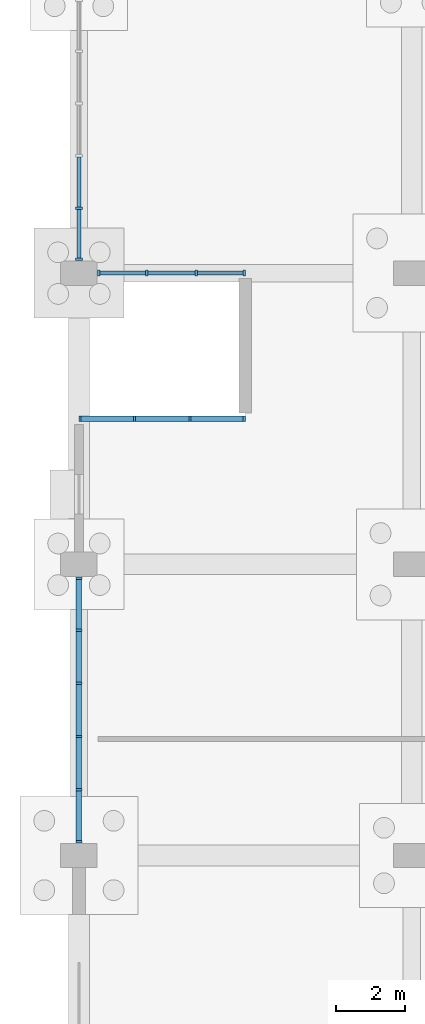
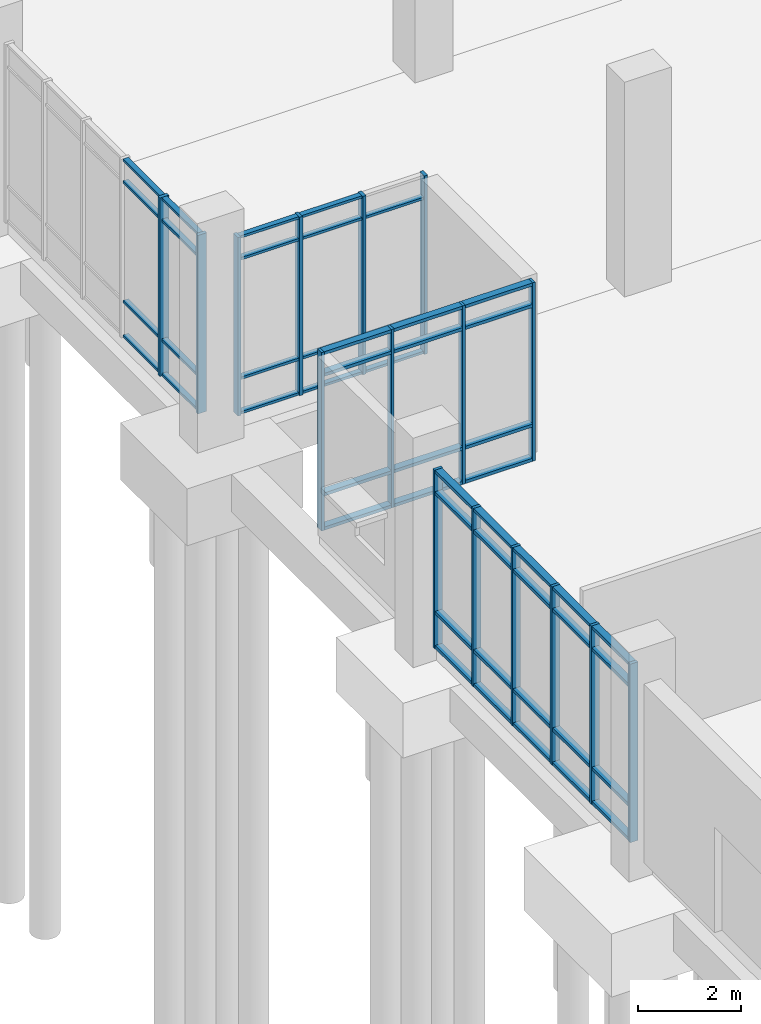
# One storey, part 36 of 136: 67 members, 4 elements without a shape of their own.
"""IFC4 building model written with IfcOpenShell, lengths in metres."""

from ifc_helpers import new_model, si_unit, direction, frame, origin, origin_2d, place, context, subcontext, project, spatial, rectangle, extrude, material, material_profile, profile_set, type_object, element, aggregate, save


model = new_model("IFC4")

# Units and contexts
model_context = context("Model", 3, precision=1e-05, world=origin(), true_north=direction((0.0, 1.0)))
body_context = subcontext(model_context, "Body", "Model", "MODEL_VIEW")
ifc_project = project(units=[si_unit("LENGTHUNIT", "METRE"), si_unit("AREAUNIT", "SQUARE_METRE"), si_unit("VOLUMEUNIT", "CUBIC_METRE"), si_unit("PLANEANGLEUNIT", "RADIAN"), si_unit("MASSUNIT", "GRAM", prefix="KILO")], contexts=[model_context])

# Site, building, storey
site_placement = place(None, origin())
site = spatial("IfcSite", under=ifc_project, at=site_placement, CompositionType="ELEMENT")
building_placement = place(site_placement, origin())
building = spatial("IfcBuilding", under=site, at=building_placement, Name="Oolite Switchyard Hospital", CompositionType="ELEMENT")
storey_placement = place(building_placement, origin())
storey = spatial("IfcBuildingStorey", under=building, at=storey_placement, Name="L00", CompositionType="ELEMENT", Elevation=0.0)

# Curtain wall, members
ifc_material_1 = material(Name="Thermally broken aluminum frame with laminated impact glazing", Category="aluminium")
curtain_wall_type = type_object("IfcCurtainWallType", Name="CW-UNIT-84X51", PredefinedType="USERDEFINED", material=ifc_material_1)
curtain_wall_1_placement = place(storey_placement, origin())
curtain_wall_1 = element("IfcCurtainWall", 1, at=curtain_wall_1_placement, inside=storey, type_object=curtain_wall_type, Name="L00 Unitised Curtain Wall 27", ObjectType="UNITISED", PredefinedType="USERDEFINED")
ifc_material_2 = material(Name="Aluminium 6063-T6", Category="aluminium")
ifc_material_profile_1 = material_profile(ifc_material_2, rectangle(XDim=0.159912109375, YDim=0.06005859375, at=origin_2d()), Name="CWM60X160")
ifc_profile_set_1 = profile_set([ifc_material_profile_1], Name="Aluminium 6063-T6")
member_type_1 = type_object("IfcMemberType", Name="CW-MUL-180", PredefinedType="MULLION", material=ifc_profile_set_1)
member_1_placement = place(storey_placement, frame((0.030029296875, 79.800048828125, 0.0), z_axis=(0.0, 0.0, 1.0), x_axis=(0.0, 1.0, 0.0)))
member_1 = element("IfcMember", 2, at=member_1_placement, type_object=member_type_1, Name="CW-06 mullion 1", PredefinedType="MULLION", context=body_context, shape_type="SweptSolid", body=[
    extrude(rectangle(XDim=0.159912109375, YDim=0.06005859375, at=origin_2d()), origin(), (0.0, 0.0, 1.0), 4.239990234375),
])
member_2_placement = place(storey_placement, frame((1.60009765625, 79.800048828125, 0.0), z_axis=(0.0, 0.0, 1.0), x_axis=(0.0, 1.0, 0.0)))
member_2 = element("IfcMember", 3, at=member_2_placement, type_object=member_type_1, Name="CW-06 mullion 2", PredefinedType="MULLION", context=body_context, shape_type="SweptSolid", body=[
    extrude(rectangle(XDim=0.159912109375, YDim=0.06005859375, at=origin_2d()), origin(), (0.0, 0.0, 1.0), 4.239990234375),
])
member_3_placement = place(storey_placement, frame((3.199951171875, 79.800048828125, 0.0), z_axis=(0.0, 0.0, 1.0), x_axis=(0.0, 1.0, 0.0)))
member_3 = element("IfcMember", 4, at=member_3_placement, type_object=member_type_1, Name="CW-06 mullion 3", PredefinedType="MULLION", context=body_context, shape_type="SweptSolid", body=[
    extrude(rectangle(XDim=0.159912109375, YDim=0.06005859375, at=origin_2d()), origin(), (0.0, 0.0, 1.0), 4.239990234375),
])
member_4_placement = place(storey_placement, frame((4.77001953125, 79.800048828125, 0.0), z_axis=(0.0, 0.0, 1.0), x_axis=(0.0, 1.0, 0.0)))
member_4 = element("IfcMember", 5, at=member_4_placement, type_object=member_type_1, Name="CW-06 mullion 4", PredefinedType="MULLION", context=body_context, shape_type="SweptSolid", body=[
    extrude(rectangle(XDim=0.159912109375, YDim=0.06005859375, at=origin_2d()), origin(), (0.0, 0.0, 1.0), 4.239990234375),
])

curtain_wall_2_placement = place(storey_placement, origin())
curtain_wall_2 = element("IfcCurtainWall", 6, at=curtain_wall_2_placement, inside=storey, type_object=curtain_wall_type, Name="L00 Unitised Curtain Wall 28", ObjectType="UNITISED", PredefinedType="USERDEFINED")
ifc_material_profile_2 = material_profile(ifc_material_2, rectangle(XDim=0.179931640625, YDim=0.070068359375, at=origin_2d()), Name="CWM70X180")
ifc_profile_set_2 = profile_set([ifc_material_profile_2], Name="Aluminium 6063-T6")
member_type_2 = type_object("IfcMemberType", Name="CW-MUL-220", PredefinedType="MULLION", material=ifc_profile_set_2)
member_5_placement = place(storey_placement, frame((4.764892578125, 84.0, 0.0), z_axis=(0.0, 0.0, 1.0), x_axis=(0.0, -1.0, 0.0)))
member_5 = element("IfcMember", 7, at=member_5_placement, type_object=member_type_2, Name="CW-06 mullion 1", PredefinedType="MULLION", context=body_context, shape_type="SweptSolid", body=[
    extrude(rectangle(XDim=0.179931640625, YDim=0.070068359375, at=origin_2d()), origin(), (0.0, 0.0, 1.0), 4.239990234375),
])
member_6_placement = place(storey_placement, frame((3.3798828125, 84.0, 0.0), z_axis=(0.0, 0.0, 1.0), x_axis=(0.0, -1.0, 0.0)))
member_6 = element("IfcMember", 8, at=member_6_placement, type_object=member_type_2, Name="CW-06 mullion 2", PredefinedType="MULLION", context=body_context, shape_type="SweptSolid", body=[
    extrude(rectangle(XDim=0.179931640625, YDim=0.070068359375, at=origin_2d()), origin(), (0.0, 0.0, 1.0), 4.239990234375),
])
member_7_placement = place(storey_placement, frame((1.9599609375, 84.0, 0.0), z_axis=(0.0, 0.0, 1.0), x_axis=(0.0, -1.0, 0.0)))
member_7 = element("IfcMember", 9, at=member_7_placement, type_object=member_type_2, Name="CW-06 mullion 3", PredefinedType="MULLION", context=body_context, shape_type="SweptSolid", body=[
    extrude(rectangle(XDim=0.179931640625, YDim=0.070068359375, at=origin_2d()), origin(), (0.0, 0.0, 1.0), 4.239990234375),
])
member_8_placement = place(storey_placement, frame((0.574951171875, 84.0, 0.0), z_axis=(0.0, 0.0, 1.0), x_axis=(0.0, -1.0, 0.0)))
member_8 = element("IfcMember", 10, at=member_8_placement, type_object=member_type_2, Name="CW-06 mullion 4", PredefinedType="MULLION", context=body_context, shape_type="SweptSolid", body=[
    extrude(rectangle(XDim=0.179931640625, YDim=0.070068359375, at=origin_2d()), origin(), (0.0, 0.0, 1.0), 4.239990234375),
])

curtain_wall_3_placement = place(storey_placement, origin())
curtain_wall_3 = element("IfcCurtainWall", 11, at=curtain_wall_3_placement, inside=storey, type_object=curtain_wall_type, Name="L00 Unitised Curtain Wall 55", ObjectType="UNITISED", PredefinedType="USERDEFINED")
member_9_placement = place(storey_placement, frame((0.0, 67.60009765625, 0.0), z_axis=(0.0, 0.0, 1.0), x_axis=(-1.0, 0.0, 0.0)))
member_9 = element("IfcMember", 12, at=member_9_placement, type_object=member_type_2, Name="CW-06 mullion 1", PredefinedType="MULLION", context=body_context, shape_type="SweptSolid", body=[
    extrude(rectangle(XDim=0.179931640625, YDim=0.070068359375, at=origin_2d()), origin(), (0.0, 0.0, 1.0), 4.239990234375),
])
member_10_placement = place(storey_placement, frame((0.0, 69.09912109375, 0.0), z_axis=(0.0, 0.0, 1.0), x_axis=(-1.0, 0.0, 0.0)))
member_10 = element("IfcMember", 13, at=member_10_placement, type_object=member_type_2, Name="CW-06 mullion 2", PredefinedType="MULLION", context=body_context, shape_type="SweptSolid", body=[
    extrude(rectangle(XDim=0.179931640625, YDim=0.070068359375, at=origin_2d()), origin(), (0.0, 0.0, 1.0), 4.239990234375),
])
member_11_placement = place(storey_placement, frame((0.0, 70.633056640625, 0.0), z_axis=(0.0, 0.0, 1.0), x_axis=(-1.0, 0.0, 0.0)))
member_11 = element("IfcMember", 14, at=member_11_placement, type_object=member_type_2, Name="CW-06 mullion 3", PredefinedType="MULLION", context=body_context, shape_type="SweptSolid", body=[
    extrude(rectangle(XDim=0.179931640625, YDim=0.070068359375, at=origin_2d()), origin(), (0.0, 0.0, 1.0), 4.239990234375),
])
member_12_placement = place(storey_placement, frame((0.0, 72.1669921875, 0.0), z_axis=(0.0, 0.0, 1.0), x_axis=(-1.0, 0.0, 0.0)))
member_12 = element("IfcMember", 15, at=member_12_placement, type_object=member_type_2, Name="CW-06 mullion 4", PredefinedType="MULLION", context=body_context, shape_type="SweptSolid", body=[
    extrude(rectangle(XDim=0.179931640625, YDim=0.070068359375, at=origin_2d()), origin(), (0.0, 0.0, 1.0), 4.239990234375),
])
member_13_placement = place(storey_placement, frame((0.0, 73.700927734375, 0.0), z_axis=(0.0, 0.0, 1.0), x_axis=(-1.0, 0.0, 0.0)))
member_13 = element("IfcMember", 16, at=member_13_placement, type_object=member_type_2, Name="CW-06 mullion 5", PredefinedType="MULLION", context=body_context, shape_type="SweptSolid", body=[
    extrude(rectangle(XDim=0.179931640625, YDim=0.070068359375, at=origin_2d()), origin(), (0.0, 0.0, 1.0), 4.239990234375),
])
member_14_placement = place(storey_placement, frame((0.0, 75.199951171875, 0.0), z_axis=(0.0, 0.0, 1.0), x_axis=(-1.0, 0.0, 0.0)))
member_14 = element("IfcMember", 17, at=member_14_placement, type_object=member_type_2, Name="CW-06 mullion 6", PredefinedType="MULLION", context=body_context, shape_type="SweptSolid", body=[
    extrude(rectangle(XDim=0.179931640625, YDim=0.070068359375, at=origin_2d()), origin(), (0.0, 0.0, 1.0), 4.239990234375),
])

curtain_wall_4_placement = place(storey_placement, origin())
curtain_wall_4 = element("IfcCurtainWall", 18, at=curtain_wall_4_placement, inside=storey, type_object=curtain_wall_type, Name="L00 Unitised Curtain Wall 56", ObjectType="UNITISED", PredefinedType="USERDEFINED")
ifc_material_profile_3 = material_profile(ifc_material_2, rectangle(XDim=0.199951171875, YDim=0.074951171875, at=origin_2d()), Name="CWM75X200")
ifc_profile_set_3 = profile_set([ifc_material_profile_3], Name="Aluminium 6063-T6")
member_type_3 = type_object("IfcMemberType", Name="CW-MUL-260", PredefinedType="MULLION", material=ifc_profile_set_3)
member_15_placement = place(storey_placement, frame((0.0, 84.402587890625, 0.0), z_axis=(0.0, 0.0, 1.0), x_axis=(-1.0, 0.0, 0.0)))
member_15 = element("IfcMember", 19, at=member_15_placement, type_object=member_type_3, Name="CW-06 mullion 1", PredefinedType="MULLION", context=body_context, shape_type="SweptSolid", body=[
    extrude(rectangle(XDim=0.199951171875, YDim=0.074951171875, at=origin_2d()), origin(), (0.0, 0.0, 1.0), 4.239990234375),
])
member_16_placement = place(storey_placement, frame((0.0, 85.8740234375, 0.0), z_axis=(0.0, 0.0, 1.0), x_axis=(-1.0, 0.0, 0.0)))
member_16 = element("IfcMember", 20, at=member_16_placement, type_object=member_type_3, Name="CW-06 mullion 2", PredefinedType="MULLION", context=body_context, shape_type="SweptSolid", body=[
    extrude(rectangle(XDim=0.199951171875, YDim=0.074951171875, at=origin_2d()), origin(), (0.0, 0.0, 1.0), 4.239990234375),
])

# Member
ifc_material_profile_4 = material_profile(ifc_material_2, rectangle(XDim=0.1201171875, YDim=0.06005859375, at=origin_2d()), Name="CWT60X120")
ifc_profile_set_4 = profile_set([ifc_material_profile_4], Name="Aluminium 6063-T6")
member_type_4 = type_object("IfcMemberType", Name="CW-TRN-150", PredefinedType="USERDEFINED", material=ifc_profile_set_4)
member_17_placement = place(storey_placement, frame((4.72998046875, 84.0, 0.030029296875), z_axis=(-1.0, 0.0, 0.0), x_axis=(0.0, -1.0, 0.0)))
member_17 = element("IfcMember", 21, at=member_17_placement, type_object=member_type_4, Name="CW-06 transom 1.1", ObjectType="TRANSOM", PredefinedType="USERDEFINED", context=body_context, shape_type="SweptSolid", body=[
    extrude(rectangle(XDim=0.1201171875, YDim=0.06005859375, at=origin_2d()), origin(), (0.0, 0.0, 1.0), 1.31494140625),
])

member_18_placement = place(storey_placement, frame((4.72998046875, 84.0, 0.85009765625), z_axis=(-1.0, 0.0, 0.0), x_axis=(0.0, -1.0, 0.0)))
member_18 = element("IfcMember", 22, at=member_18_placement, type_object=member_type_4, Name="CW-06 transom 1.2", ObjectType="TRANSOM", PredefinedType="USERDEFINED", context=body_context, shape_type="SweptSolid", body=[
    extrude(rectangle(XDim=0.1201171875, YDim=0.06005859375, at=origin_2d()), origin(), (0.0, 0.0, 1.0), 1.31494140625),
])

member_19_placement = place(storey_placement, frame((4.72998046875, 84.0, 3.68994140625), z_axis=(-1.0, 0.0, 0.0), x_axis=(0.0, -1.0, 0.0)))
member_19 = element("IfcMember", 23, at=member_19_placement, type_object=member_type_4, Name="CW-06 transom 1.3", ObjectType="TRANSOM", PredefinedType="USERDEFINED", context=body_context, shape_type="SweptSolid", body=[
    extrude(rectangle(XDim=0.1201171875, YDim=0.06005859375, at=origin_2d()), origin(), (0.0, 0.0, 1.0), 1.31494140625),
])

member_20_placement = place(storey_placement, frame((3.344970703125, 84.0, 0.030029296875), z_axis=(-1.0, 0.0, 0.0), x_axis=(0.0, -1.0, 0.0)))
member_20 = element("IfcMember", 24, at=member_20_placement, type_object=member_type_4, Name="CW-06 transom 2.1", ObjectType="TRANSOM", PredefinedType="USERDEFINED", context=body_context, shape_type="SweptSolid", body=[
    extrude(rectangle(XDim=0.1201171875, YDim=0.06005859375, at=origin_2d()), origin(), (0.0, 0.0, 1.0), 1.349853515625),
])

member_21_placement = place(storey_placement, frame((3.344970703125, 84.0, 0.85009765625), z_axis=(-1.0, 0.0, 0.0), x_axis=(0.0, -1.0, 0.0)))
member_21 = element("IfcMember", 25, at=member_21_placement, type_object=member_type_4, Name="CW-06 transom 2.2", ObjectType="TRANSOM", PredefinedType="USERDEFINED", context=body_context, shape_type="SweptSolid", body=[
    extrude(rectangle(XDim=0.1201171875, YDim=0.06005859375, at=origin_2d()), origin(), (0.0, 0.0, 1.0), 1.349853515625),
])

member_22_placement = place(storey_placement, frame((3.344970703125, 84.0, 3.68994140625), z_axis=(-1.0, 0.0, 0.0), x_axis=(0.0, -1.0, 0.0)))
member_22 = element("IfcMember", 26, at=member_22_placement, type_object=member_type_4, Name="CW-06 transom 2.3", ObjectType="TRANSOM", PredefinedType="USERDEFINED", context=body_context, shape_type="SweptSolid", body=[
    extrude(rectangle(XDim=0.1201171875, YDim=0.06005859375, at=origin_2d()), origin(), (0.0, 0.0, 1.0), 1.349853515625),
])

member_23_placement = place(storey_placement, frame((3.344970703125, 84.0, 4.2099609375), z_axis=(-1.0, 0.0, 0.0), x_axis=(0.0, -1.0, 0.0)))
member_23 = element("IfcMember", 27, at=member_23_placement, type_object=member_type_4, Name="CW-06 transom 2.4", ObjectType="TRANSOM", PredefinedType="USERDEFINED", context=body_context, shape_type="SweptSolid", body=[
    extrude(rectangle(XDim=0.1201171875, YDim=0.06005859375, at=origin_2d()), origin(), (0.0, 0.0, 1.0), 1.349853515625),
])

member_24_placement = place(storey_placement, frame((1.925048828125, 84.0, 0.030029296875), z_axis=(-1.0, 0.0, 0.0), x_axis=(0.0, -1.0, 0.0)))
member_24 = element("IfcMember", 28, at=member_24_placement, type_object=member_type_4, Name="CW-06 transom 3.1", ObjectType="TRANSOM", PredefinedType="USERDEFINED", context=body_context, shape_type="SweptSolid", body=[
    extrude(rectangle(XDim=0.1201171875, YDim=0.06005859375, at=origin_2d()), origin(), (0.0, 0.0, 1.0), 1.31494140625),
])

member_25_placement = place(storey_placement, frame((1.925048828125, 84.0, 0.85009765625), z_axis=(-1.0, 0.0, 0.0), x_axis=(0.0, -1.0, 0.0)))
member_25 = element("IfcMember", 29, at=member_25_placement, type_object=member_type_4, Name="CW-06 transom 3.2", ObjectType="TRANSOM", PredefinedType="USERDEFINED", context=body_context, shape_type="SweptSolid", body=[
    extrude(rectangle(XDim=0.1201171875, YDim=0.06005859375, at=origin_2d()), origin(), (0.0, 0.0, 1.0), 1.31494140625),
])

member_26_placement = place(storey_placement, frame((1.925048828125, 84.0, 3.68994140625), z_axis=(-1.0, 0.0, 0.0), x_axis=(0.0, -1.0, 0.0)))
member_26 = element("IfcMember", 30, at=member_26_placement, type_object=member_type_4, Name="CW-06 transom 3.3", ObjectType="TRANSOM", PredefinedType="USERDEFINED", context=body_context, shape_type="SweptSolid", body=[
    extrude(rectangle(XDim=0.1201171875, YDim=0.06005859375, at=origin_2d()), origin(), (0.0, 0.0, 1.0), 1.31494140625),
])

member_27_placement = place(storey_placement, frame((1.925048828125, 84.0, 4.2099609375), z_axis=(-1.0, 0.0, 0.0), x_axis=(0.0, -1.0, 0.0)))
member_27 = element("IfcMember", 31, at=member_27_placement, type_object=member_type_4, Name="CW-06 transom 3.4", ObjectType="TRANSOM", PredefinedType="USERDEFINED", context=body_context, shape_type="SweptSolid", body=[
    extrude(rectangle(XDim=0.1201171875, YDim=0.06005859375, at=origin_2d()), origin(), (0.0, 0.0, 1.0), 1.31494140625),
])

aggregate(curtain_wall_2, [member_5, member_6, member_7, member_8, member_17, member_18, member_19, member_20, member_21, member_22, member_23, member_24, member_25, member_26, member_27])

member_28_placement = place(storey_placement, frame((0.0, 84.43994140625, 0.030029296875), z_axis=(0.0, 1.0, 0.0), x_axis=(-1.0, 0.0, 0.0)))
member_28 = element("IfcMember", 32, at=member_28_placement, type_object=member_type_4, Name="CW-06 transom 1.1", ObjectType="TRANSOM", PredefinedType="USERDEFINED", context=body_context, shape_type="SweptSolid", body=[
    extrude(rectangle(XDim=0.1201171875, YDim=0.06005859375, at=origin_2d()), origin(), (0.0, 0.0, 1.0), 1.396484375),
])

member_29_placement = place(storey_placement, frame((0.0, 84.43994140625, 0.85009765625), z_axis=(0.0, 1.0, 0.0), x_axis=(-1.0, 0.0, 0.0)))
member_29 = element("IfcMember", 33, at=member_29_placement, type_object=member_type_4, Name="CW-06 transom 1.2", ObjectType="TRANSOM", PredefinedType="USERDEFINED", context=body_context, shape_type="SweptSolid", body=[
    extrude(rectangle(XDim=0.1201171875, YDim=0.06005859375, at=origin_2d()), origin(), (0.0, 0.0, 1.0), 1.396484375),
])

member_30_placement = place(storey_placement, frame((0.0, 84.43994140625, 3.68994140625), z_axis=(0.0, 1.0, 0.0), x_axis=(-1.0, 0.0, 0.0)))
member_30 = element("IfcMember", 34, at=member_30_placement, type_object=member_type_4, Name="CW-06 transom 1.3", ObjectType="TRANSOM", PredefinedType="USERDEFINED", context=body_context, shape_type="SweptSolid", body=[
    extrude(rectangle(XDim=0.1201171875, YDim=0.06005859375, at=origin_2d()), origin(), (0.0, 0.0, 1.0), 1.396484375),
])

member_31_placement = place(storey_placement, frame((0.0, 84.43994140625, 4.2099609375), z_axis=(0.0, 1.0, 0.0), x_axis=(-1.0, 0.0, 0.0)))
member_31 = element("IfcMember", 35, at=member_31_placement, type_object=member_type_4, Name="CW-06 transom 1.4", ObjectType="TRANSOM", PredefinedType="USERDEFINED", context=body_context, shape_type="SweptSolid", body=[
    extrude(rectangle(XDim=0.1201171875, YDim=0.06005859375, at=origin_2d()), origin(), (0.0, 0.0, 1.0), 1.396484375),
])

member_32_placement = place(storey_placement, frame((0.0, 85.91162109375, 0.030029296875), z_axis=(0.0, 1.0, 0.0), x_axis=(-1.0, 0.0, 0.0)))
member_32 = element("IfcMember", 36, at=member_32_placement, type_object=member_type_4, Name="CW-06 transom 2.1", ObjectType="TRANSOM", PredefinedType="USERDEFINED", context=body_context, shape_type="SweptSolid", body=[
    extrude(rectangle(XDim=0.1201171875, YDim=0.06005859375, at=origin_2d()), origin(), (0.0, 0.0, 1.0), 1.433837890625),
])

member_33_placement = place(storey_placement, frame((0.0, 85.91162109375, 0.85009765625), z_axis=(0.0, 1.0, 0.0), x_axis=(-1.0, 0.0, 0.0)))
member_33 = element("IfcMember", 37, at=member_33_placement, type_object=member_type_4, Name="CW-06 transom 2.2", ObjectType="TRANSOM", PredefinedType="USERDEFINED", context=body_context, shape_type="SweptSolid", body=[
    extrude(rectangle(XDim=0.1201171875, YDim=0.06005859375, at=origin_2d()), origin(), (0.0, 0.0, 1.0), 1.433837890625),
])

member_34_placement = place(storey_placement, frame((0.0, 85.91162109375, 3.68994140625), z_axis=(0.0, 1.0, 0.0), x_axis=(-1.0, 0.0, 0.0)))
member_34 = element("IfcMember", 38, at=member_34_placement, type_object=member_type_4, Name="CW-06 transom 2.3", ObjectType="TRANSOM", PredefinedType="USERDEFINED", context=body_context, shape_type="SweptSolid", body=[
    extrude(rectangle(XDim=0.1201171875, YDim=0.06005859375, at=origin_2d()), origin(), (0.0, 0.0, 1.0), 1.433837890625),
])

member_35_placement = place(storey_placement, frame((0.0, 85.91162109375, 4.2099609375), z_axis=(0.0, 1.0, 0.0), x_axis=(-1.0, 0.0, 0.0)))
member_35 = element("IfcMember", 39, at=member_35_placement, type_object=member_type_4, Name="CW-06 transom 2.4", ObjectType="TRANSOM", PredefinedType="USERDEFINED", context=body_context, shape_type="SweptSolid", body=[
    extrude(rectangle(XDim=0.1201171875, YDim=0.06005859375, at=origin_2d()), origin(), (0.0, 0.0, 1.0), 1.433837890625),
])

aggregate(curtain_wall_4, [member_15, member_16, member_28, member_29, member_30, member_31, member_32, member_33, member_34, member_35])

ifc_material_profile_5 = material_profile(ifc_material_2, rectangle(XDim=0.159912109375, YDim=0.074951171875, at=origin_2d()), Name="CWT75X160")
ifc_profile_set_5 = profile_set([ifc_material_profile_5], Name="Aluminium 6063-T6")
member_type_5 = type_object("IfcMemberType", Name="CW-TRN-180", PredefinedType="USERDEFINED", material=ifc_profile_set_5)
member_36_placement = place(storey_placement, frame((0.06005859375, 79.800048828125, 0.03759765625), z_axis=(1.0, 0.0, 0.0), x_axis=(0.0, 1.0, 0.0)))
member_36 = element("IfcMember", 40, at=member_36_placement, type_object=member_type_5, Name="CW-06 transom 1.1", ObjectType="TRANSOM", PredefinedType="USERDEFINED", context=body_context, shape_type="SweptSolid", body=[
    extrude(rectangle(XDim=0.159912109375, YDim=0.074951171875, at=origin_2d()), origin(), (0.0, 0.0, 1.0), 1.510009765625),
])

member_37_placement = place(storey_placement, frame((0.06005859375, 79.800048828125, 0.85009765625), z_axis=(1.0, 0.0, 0.0), x_axis=(0.0, 1.0, 0.0)))
member_37 = element("IfcMember", 41, at=member_37_placement, type_object=member_type_5, Name="CW-06 transom 1.2", ObjectType="TRANSOM", PredefinedType="USERDEFINED", context=body_context, shape_type="SweptSolid", body=[
    extrude(rectangle(XDim=0.159912109375, YDim=0.074951171875, at=origin_2d()), origin(), (0.0, 0.0, 1.0), 1.510009765625),
])

member_38_placement = place(storey_placement, frame((0.06005859375, 79.800048828125, 3.68994140625), z_axis=(1.0, 0.0, 0.0), x_axis=(0.0, 1.0, 0.0)))
member_38 = element("IfcMember", 42, at=member_38_placement, type_object=member_type_5, Name="CW-06 transom 1.3", ObjectType="TRANSOM", PredefinedType="USERDEFINED", context=body_context, shape_type="SweptSolid", body=[
    extrude(rectangle(XDim=0.159912109375, YDim=0.074951171875, at=origin_2d()), origin(), (0.0, 0.0, 1.0), 1.510009765625),
])

member_39_placement = place(storey_placement, frame((0.06005859375, 79.800048828125, 4.202392578125), z_axis=(1.0, 0.0, 0.0), x_axis=(0.0, 1.0, 0.0)))
member_39 = element("IfcMember", 43, at=member_39_placement, type_object=member_type_5, Name="CW-06 transom 1.4", ObjectType="TRANSOM", PredefinedType="USERDEFINED", context=body_context, shape_type="SweptSolid", body=[
    extrude(rectangle(XDim=0.159912109375, YDim=0.074951171875, at=origin_2d()), origin(), (0.0, 0.0, 1.0), 1.510009765625),
])

member_40_placement = place(storey_placement, frame((1.6298828125, 79.800048828125, 0.03759765625), z_axis=(1.0, 0.0, 0.0), x_axis=(0.0, 1.0, 0.0)))
member_40 = element("IfcMember", 44, at=member_40_placement, type_object=member_type_5, Name="CW-06 transom 2.1", ObjectType="TRANSOM", PredefinedType="USERDEFINED", context=body_context, shape_type="SweptSolid", body=[
    extrude(rectangle(XDim=0.159912109375, YDim=0.074951171875, at=origin_2d()), origin(), (0.0, 0.0, 1.0), 1.5400390625),
])

member_41_placement = place(storey_placement, frame((1.6298828125, 79.800048828125, 0.85009765625), z_axis=(1.0, 0.0, 0.0), x_axis=(0.0, 1.0, 0.0)))
member_41 = element("IfcMember", 45, at=member_41_placement, type_object=member_type_5, Name="CW-06 transom 2.2", ObjectType="TRANSOM", PredefinedType="USERDEFINED", context=body_context, shape_type="SweptSolid", body=[
    extrude(rectangle(XDim=0.159912109375, YDim=0.074951171875, at=origin_2d()), origin(), (0.0, 0.0, 1.0), 1.5400390625),
])

member_42_placement = place(storey_placement, frame((1.6298828125, 79.800048828125, 3.68994140625), z_axis=(1.0, 0.0, 0.0), x_axis=(0.0, 1.0, 0.0)))
member_42 = element("IfcMember", 46, at=member_42_placement, type_object=member_type_5, Name="CW-06 transom 2.3", ObjectType="TRANSOM", PredefinedType="USERDEFINED", context=body_context, shape_type="SweptSolid", body=[
    extrude(rectangle(XDim=0.159912109375, YDim=0.074951171875, at=origin_2d()), origin(), (0.0, 0.0, 1.0), 1.5400390625),
])

member_43_placement = place(storey_placement, frame((1.6298828125, 79.800048828125, 4.202392578125), z_axis=(1.0, 0.0, 0.0), x_axis=(0.0, 1.0, 0.0)))
member_43 = element("IfcMember", 47, at=member_43_placement, type_object=member_type_5, Name="CW-06 transom 2.4", ObjectType="TRANSOM", PredefinedType="USERDEFINED", context=body_context, shape_type="SweptSolid", body=[
    extrude(rectangle(XDim=0.159912109375, YDim=0.074951171875, at=origin_2d()), origin(), (0.0, 0.0, 1.0), 1.5400390625),
])

member_44_placement = place(storey_placement, frame((3.22998046875, 79.800048828125, 0.03759765625), z_axis=(1.0, 0.0, 0.0), x_axis=(0.0, 1.0, 0.0)))
member_44 = element("IfcMember", 48, at=member_44_placement, type_object=member_type_5, Name="CW-06 transom 3.1", ObjectType="TRANSOM", PredefinedType="USERDEFINED", context=body_context, shape_type="SweptSolid", body=[
    extrude(rectangle(XDim=0.159912109375, YDim=0.074951171875, at=origin_2d()), origin(), (0.0, 0.0, 1.0), 1.510009765625),
])

member_45_placement = place(storey_placement, frame((3.22998046875, 79.800048828125, 0.85009765625), z_axis=(1.0, 0.0, 0.0), x_axis=(0.0, 1.0, 0.0)))
member_45 = element("IfcMember", 49, at=member_45_placement, type_object=member_type_5, Name="CW-06 transom 3.2", ObjectType="TRANSOM", PredefinedType="USERDEFINED", context=body_context, shape_type="SweptSolid", body=[
    extrude(rectangle(XDim=0.159912109375, YDim=0.074951171875, at=origin_2d()), origin(), (0.0, 0.0, 1.0), 1.510009765625),
])

member_46_placement = place(storey_placement, frame((3.22998046875, 79.800048828125, 3.68994140625), z_axis=(1.0, 0.0, 0.0), x_axis=(0.0, 1.0, 0.0)))
member_46 = element("IfcMember", 50, at=member_46_placement, type_object=member_type_5, Name="CW-06 transom 3.3", ObjectType="TRANSOM", PredefinedType="USERDEFINED", context=body_context, shape_type="SweptSolid", body=[
    extrude(rectangle(XDim=0.159912109375, YDim=0.074951171875, at=origin_2d()), origin(), (0.0, 0.0, 1.0), 1.510009765625),
])

member_47_placement = place(storey_placement, frame((3.22998046875, 79.800048828125, 4.202392578125), z_axis=(1.0, 0.0, 0.0), x_axis=(0.0, 1.0, 0.0)))
member_47 = element("IfcMember", 51, at=member_47_placement, type_object=member_type_5, Name="CW-06 transom 3.4", ObjectType="TRANSOM", PredefinedType="USERDEFINED", context=body_context, shape_type="SweptSolid", body=[
    extrude(rectangle(XDim=0.159912109375, YDim=0.074951171875, at=origin_2d()), origin(), (0.0, 0.0, 1.0), 1.510009765625),
])

aggregate(curtain_wall_1, [member_1, member_2, member_3, member_4, member_36, member_37, member_38, member_39, member_40, member_41, member_42, member_43, member_44, member_45, member_46, member_47])

member_48_placement = place(storey_placement, frame((0.0, 67.635009765625, 0.03759765625), z_axis=(0.0, 1.0, 0.0), x_axis=(-1.0, 0.0, 0.0)))
member_48 = element("IfcMember", 52, at=member_48_placement, type_object=member_type_5, Name="CW-06 transom 1.1", ObjectType="TRANSOM", PredefinedType="USERDEFINED", context=body_context, shape_type="SweptSolid", body=[
    extrude(rectangle(XDim=0.159912109375, YDim=0.074951171875, at=origin_2d()), origin(), (0.0, 0.0, 1.0), 1.428955078125),
])

member_49_placement = place(storey_placement, frame((0.0, 67.635009765625, 0.85009765625), z_axis=(0.0, 1.0, 0.0), x_axis=(-1.0, 0.0, 0.0)))
member_49 = element("IfcMember", 53, at=member_49_placement, type_object=member_type_5, Name="CW-06 transom 1.2", ObjectType="TRANSOM", PredefinedType="USERDEFINED", context=body_context, shape_type="SweptSolid", body=[
    extrude(rectangle(XDim=0.159912109375, YDim=0.074951171875, at=origin_2d()), origin(), (0.0, 0.0, 1.0), 1.428955078125),
])

member_50_placement = place(storey_placement, frame((0.0, 67.635009765625, 3.68994140625), z_axis=(0.0, 1.0, 0.0), x_axis=(-1.0, 0.0, 0.0)))
member_50 = element("IfcMember", 54, at=member_50_placement, type_object=member_type_5, Name="CW-06 transom 1.3", ObjectType="TRANSOM", PredefinedType="USERDEFINED", context=body_context, shape_type="SweptSolid", body=[
    extrude(rectangle(XDim=0.159912109375, YDim=0.074951171875, at=origin_2d()), origin(), (0.0, 0.0, 1.0), 1.428955078125),
])

member_51_placement = place(storey_placement, frame((0.0, 67.635009765625, 4.202392578125), z_axis=(0.0, 1.0, 0.0), x_axis=(-1.0, 0.0, 0.0)))
member_51 = element("IfcMember", 55, at=member_51_placement, type_object=member_type_5, Name="CW-06 transom 1.4", ObjectType="TRANSOM", PredefinedType="USERDEFINED", context=body_context, shape_type="SweptSolid", body=[
    extrude(rectangle(XDim=0.159912109375, YDim=0.074951171875, at=origin_2d()), origin(), (0.0, 0.0, 1.0), 1.428955078125),
])

member_52_placement = place(storey_placement, frame((0.0, 69.134033203125, 0.03759765625), z_axis=(0.0, 1.0, 0.0), x_axis=(-1.0, 0.0, 0.0)))
member_52 = element("IfcMember", 56, at=member_52_placement, type_object=member_type_5, Name="CW-06 transom 2.1", ObjectType="TRANSOM", PredefinedType="USERDEFINED", context=body_context, shape_type="SweptSolid", body=[
    extrude(rectangle(XDim=0.159912109375, YDim=0.074951171875, at=origin_2d()), origin(), (0.0, 0.0, 1.0), 1.4638671875),
])

member_53_placement = place(storey_placement, frame((0.0, 69.134033203125, 0.85009765625), z_axis=(0.0, 1.0, 0.0), x_axis=(-1.0, 0.0, 0.0)))
member_53 = element("IfcMember", 57, at=member_53_placement, type_object=member_type_5, Name="CW-06 transom 2.2", ObjectType="TRANSOM", PredefinedType="USERDEFINED", context=body_context, shape_type="SweptSolid", body=[
    extrude(rectangle(XDim=0.159912109375, YDim=0.074951171875, at=origin_2d()), origin(), (0.0, 0.0, 1.0), 1.4638671875),
])

member_54_placement = place(storey_placement, frame((0.0, 69.134033203125, 3.68994140625), z_axis=(0.0, 1.0, 0.0), x_axis=(-1.0, 0.0, 0.0)))
member_54 = element("IfcMember", 58, at=member_54_placement, type_object=member_type_5, Name="CW-06 transom 2.3", ObjectType="TRANSOM", PredefinedType="USERDEFINED", context=body_context, shape_type="SweptSolid", body=[
    extrude(rectangle(XDim=0.159912109375, YDim=0.074951171875, at=origin_2d()), origin(), (0.0, 0.0, 1.0), 1.4638671875),
])

member_55_placement = place(storey_placement, frame((0.0, 69.134033203125, 4.202392578125), z_axis=(0.0, 1.0, 0.0), x_axis=(-1.0, 0.0, 0.0)))
member_55 = element("IfcMember", 59, at=member_55_placement, type_object=member_type_5, Name="CW-06 transom 2.4", ObjectType="TRANSOM", PredefinedType="USERDEFINED", context=body_context, shape_type="SweptSolid", body=[
    extrude(rectangle(XDim=0.159912109375, YDim=0.074951171875, at=origin_2d()), origin(), (0.0, 0.0, 1.0), 1.4638671875),
])

member_56_placement = place(storey_placement, frame((0.0, 70.66796875, 0.03759765625), z_axis=(0.0, 1.0, 0.0), x_axis=(-1.0, 0.0, 0.0)))
member_56 = element("IfcMember", 60, at=member_56_placement, type_object=member_type_5, Name="CW-06 transom 3.1", ObjectType="TRANSOM", PredefinedType="USERDEFINED", context=body_context, shape_type="SweptSolid", body=[
    extrude(rectangle(XDim=0.159912109375, YDim=0.074951171875, at=origin_2d()), origin(), (0.0, 0.0, 1.0), 1.464111328125),
])

member_57_placement = place(storey_placement, frame((0.0, 70.66796875, 0.85009765625), z_axis=(0.0, 1.0, 0.0), x_axis=(-1.0, 0.0, 0.0)))
member_57 = element("IfcMember", 61, at=member_57_placement, type_object=member_type_5, Name="CW-06 transom 3.2", ObjectType="TRANSOM", PredefinedType="USERDEFINED", context=body_context, shape_type="SweptSolid", body=[
    extrude(rectangle(XDim=0.159912109375, YDim=0.074951171875, at=origin_2d()), origin(), (0.0, 0.0, 1.0), 1.464111328125),
])

member_58_placement = place(storey_placement, frame((0.0, 70.66796875, 3.68994140625), z_axis=(0.0, 1.0, 0.0), x_axis=(-1.0, 0.0, 0.0)))
member_58 = element("IfcMember", 62, at=member_58_placement, type_object=member_type_5, Name="CW-06 transom 3.3", ObjectType="TRANSOM", PredefinedType="USERDEFINED", context=body_context, shape_type="SweptSolid", body=[
    extrude(rectangle(XDim=0.159912109375, YDim=0.074951171875, at=origin_2d()), origin(), (0.0, 0.0, 1.0), 1.464111328125),
])

member_59_placement = place(storey_placement, frame((0.0, 70.66796875, 4.202392578125), z_axis=(0.0, 1.0, 0.0), x_axis=(-1.0, 0.0, 0.0)))
member_59 = element("IfcMember", 63, at=member_59_placement, type_object=member_type_5, Name="CW-06 transom 3.4", ObjectType="TRANSOM", PredefinedType="USERDEFINED", context=body_context, shape_type="SweptSolid", body=[
    extrude(rectangle(XDim=0.159912109375, YDim=0.074951171875, at=origin_2d()), origin(), (0.0, 0.0, 1.0), 1.464111328125),
])

member_60_placement = place(storey_placement, frame((0.0, 72.201904296875, 0.03759765625), z_axis=(0.0, 1.0, 0.0), x_axis=(-1.0, 0.0, 0.0)))
member_60 = element("IfcMember", 64, at=member_60_placement, type_object=member_type_5, Name="CW-06 transom 4.1", ObjectType="TRANSOM", PredefinedType="USERDEFINED", context=body_context, shape_type="SweptSolid", body=[
    extrude(rectangle(XDim=0.159912109375, YDim=0.074951171875, at=origin_2d()), origin(), (0.0, 0.0, 1.0), 1.464111328125),
])

member_61_placement = place(storey_placement, frame((0.0, 72.201904296875, 0.85009765625), z_axis=(0.0, 1.0, 0.0), x_axis=(-1.0, 0.0, 0.0)))
member_61 = element("IfcMember", 65, at=member_61_placement, type_object=member_type_5, Name="CW-06 transom 4.2", ObjectType="TRANSOM", PredefinedType="USERDEFINED", context=body_context, shape_type="SweptSolid", body=[
    extrude(rectangle(XDim=0.159912109375, YDim=0.074951171875, at=origin_2d()), origin(), (0.0, 0.0, 1.0), 1.464111328125),
])

member_62_placement = place(storey_placement, frame((0.0, 72.201904296875, 3.68994140625), z_axis=(0.0, 1.0, 0.0), x_axis=(-1.0, 0.0, 0.0)))
member_62 = element("IfcMember", 66, at=member_62_placement, type_object=member_type_5, Name="CW-06 transom 4.3", ObjectType="TRANSOM", PredefinedType="USERDEFINED", context=body_context, shape_type="SweptSolid", body=[
    extrude(rectangle(XDim=0.159912109375, YDim=0.074951171875, at=origin_2d()), origin(), (0.0, 0.0, 1.0), 1.464111328125),
])

member_63_placement = place(storey_placement, frame((0.0, 72.201904296875, 4.202392578125), z_axis=(0.0, 1.0, 0.0), x_axis=(-1.0, 0.0, 0.0)))
member_63 = element("IfcMember", 67, at=member_63_placement, type_object=member_type_5, Name="CW-06 transom 4.4", ObjectType="TRANSOM", PredefinedType="USERDEFINED", context=body_context, shape_type="SweptSolid", body=[
    extrude(rectangle(XDim=0.159912109375, YDim=0.074951171875, at=origin_2d()), origin(), (0.0, 0.0, 1.0), 1.464111328125),
])

member_64_placement = place(storey_placement, frame((0.0, 73.736083984375, 0.03759765625), z_axis=(0.0, 1.0, 0.0), x_axis=(-1.0, 0.0, 0.0)))
member_64 = element("IfcMember", 68, at=member_64_placement, type_object=member_type_5, Name="CW-06 transom 5.1", ObjectType="TRANSOM", PredefinedType="USERDEFINED", context=body_context, shape_type="SweptSolid", body=[
    extrude(rectangle(XDim=0.159912109375, YDim=0.074951171875, at=origin_2d()), origin(), (0.0, 0.0, 1.0), 1.428955078125),
])

member_65_placement = place(storey_placement, frame((0.0, 73.736083984375, 0.85009765625), z_axis=(0.0, 1.0, 0.0), x_axis=(-1.0, 0.0, 0.0)))
member_65 = element("IfcMember", 69, at=member_65_placement, type_object=member_type_5, Name="CW-06 transom 5.2", ObjectType="TRANSOM", PredefinedType="USERDEFINED", context=body_context, shape_type="SweptSolid", body=[
    extrude(rectangle(XDim=0.159912109375, YDim=0.074951171875, at=origin_2d()), origin(), (0.0, 0.0, 1.0), 1.428955078125),
])

member_66_placement = place(storey_placement, frame((0.0, 73.736083984375, 3.68994140625), z_axis=(0.0, 1.0, 0.0), x_axis=(-1.0, 0.0, 0.0)))
member_66 = element("IfcMember", 70, at=member_66_placement, type_object=member_type_5, Name="CW-06 transom 5.3", ObjectType="TRANSOM", PredefinedType="USERDEFINED", context=body_context, shape_type="SweptSolid", body=[
    extrude(rectangle(XDim=0.159912109375, YDim=0.074951171875, at=origin_2d()), origin(), (0.0, 0.0, 1.0), 1.428955078125),
])

member_67_placement = place(storey_placement, frame((0.0, 73.736083984375, 4.202392578125), z_axis=(0.0, 1.0, 0.0), x_axis=(-1.0, 0.0, 0.0)))
member_67 = element("IfcMember", 71, at=member_67_placement, type_object=member_type_5, Name="CW-06 transom 5.4", ObjectType="TRANSOM", PredefinedType="USERDEFINED", context=body_context, shape_type="SweptSolid", body=[
    extrude(rectangle(XDim=0.159912109375, YDim=0.074951171875, at=origin_2d()), origin(), (0.0, 0.0, 1.0), 1.428955078125),
])

aggregate(curtain_wall_3, [member_9, member_10, member_11, member_12, member_13, member_14, member_48, member_49, member_50, member_51, member_52, member_53, member_54, member_55, member_56, member_57, member_58, member_59, member_60, member_61, member_62, member_63, member_64, member_65, member_66, member_67])

save(model, "model.ifc")
